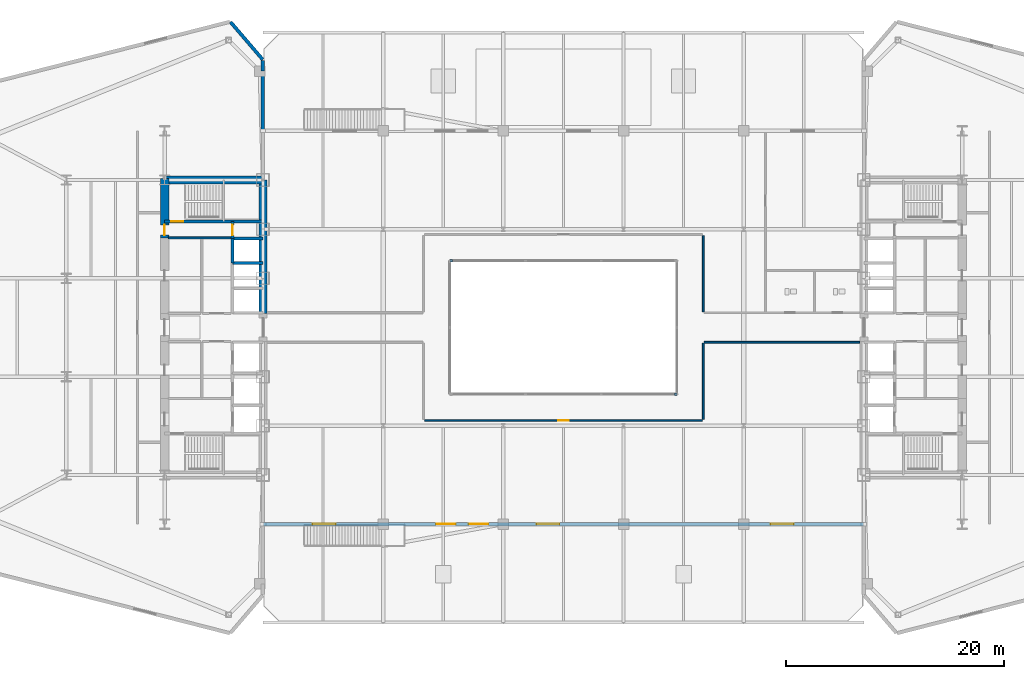
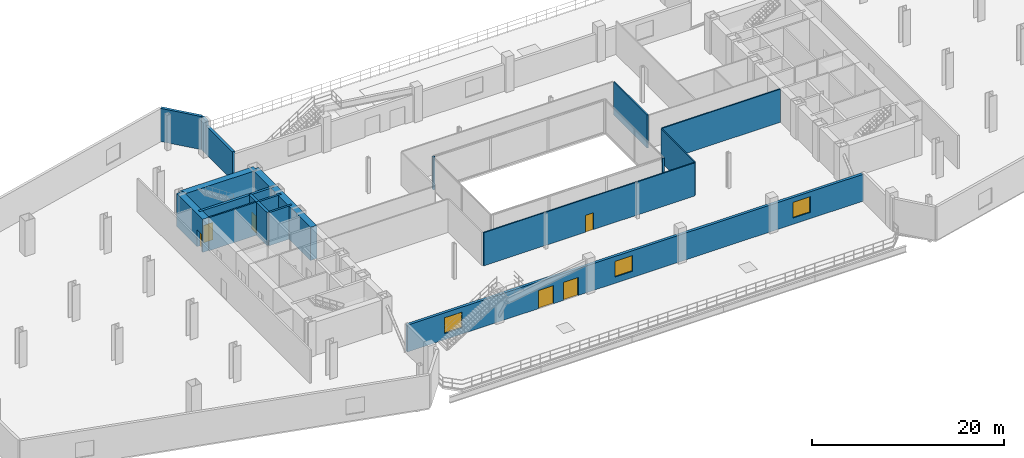
# One storey, part 19 of 27: 19 walls, 6 doors, 3 windows, 9 openings.
"""IFC4 building model written with IfcOpenShell, lengths in metres."""

from ifc_helpers import new_model, si_unit, direction, frame, frame_2d, origin, place, context, subcontext, project, spatial, rectangle, extrude, source, transform, mapped, material, layer, layer_set, type_object, type_shapes, element, fill, save


model = new_model("IFC4")

# Units and contexts
model_context = context("Model", 3, precision=1e-05, world=origin(), true_north=direction((0.0, 1.0)))
body_context = subcontext(model_context, "Body", "Model", "MODEL_VIEW")
ifc_project = project(units=[si_unit("LENGTHUNIT", "METRE"), si_unit("AREAUNIT", "SQUARE_METRE"), si_unit("VOLUMEUNIT", "CUBIC_METRE"), si_unit("PLANEANGLEUNIT", "RADIAN"), si_unit("MASSUNIT", "GRAM", prefix="KILO")], contexts=[model_context])

# Site, building, storey
site_placement = place(None, origin())
site = spatial("IfcSite", under=ifc_project, at=site_placement, CompositionType="ELEMENT")
building_placement = place(site_placement, origin())
building = spatial("IfcBuilding", under=site, at=building_placement, Name="Seokmaru Belvedere", CompositionType="ELEMENT")
storey_placement = place(building_placement, frame((0.0, 0.0, 9.89990234375)))
storey = spatial("IfcBuildingStorey", under=building, at=storey_placement, Name="L02", CompositionType="ELEMENT", Elevation=9.89990234375)

# Wall, opening, door
ifc_material_1 = material(Name="Fire-Rated Gypsum Shaftwall")
ifc_layer_1 = layer(ifc_material_1, 0.14990234375)
ifc_layer_set_1 = layer_set([ifc_layer_1], Name="Fire-Rated Gypsum Shaftwall")
wall_type_1 = type_object("IfcWallType", Name="Apartment Fire-Acoustic Room Partition 150", PredefinedType="PARTITIONING", material=ifc_layer_set_1)
wall_1_placement = place(storey_placement, frame((-12.715087890625, -8.5, 0.0), z_axis=(0.0, 0.0, 1.0), x_axis=(1.0, 0.0, 0.0)))
wall_1 = element("IfcWall", 1, at=wall_1_placement, inside=storey, type_object=wall_type_1, Name="L02 Interior Partition 003", PredefinedType="PARTITIONING", context=body_context, shape_type="SweptSolid", body=[
    extrude(rectangle(XDim=25.43017578125, YDim=0.14990234375, at=frame_2d((12.715087890625, 0.0))), origin(), (0.0, 0.0, 1.0), 4.22021484375),
])
opening_1_placement = place(wall_1_placement, frame((12.239990234375, 0.0, 0.0)))
opening_1 = element("IfcOpeningElement", 2, at=opening_1_placement, cuts=wall_1, Name="Opening D05", PredefinedType="OPENING", context=body_context, shape_type="SweptSolid", body=[
    extrude(rectangle(XDim=0.949951171875, YDim=2.14990234375, at=frame_2d((0.47509765625, 1.074951171875))), frame((0.0, 0.0849609375, 0.0), z_axis=(0.0, -1.0, 0.0), x_axis=(1.0, 0.0, 0.0)), (0.0, 0.0, 1.0), 0.169921875),
])
ifc_material_2 = material(Name="Engineered White Oak Timber", Category="wood")
door_type_1 = type_object("IfcDoorType", Name="Apartment Interior Fire-Rated Oak Door 950x2150", OperationType="NOTDEFINED", PredefinedType="DOOR", material=ifc_material_2)
shared_shape_1 = source(origin(), body_context, "Body", "SweptSolid", [
    extrude(rectangle(XDim=0.949951171875, YDim=2.14990234375, at=frame_2d((0.47509765625, 1.074951171875))), frame((0.0, 0.02490234375, 0.0), z_axis=(0.0, -1.0, 0.0), x_axis=(1.0, 0.0, 0.0)), (0.0, 0.0, 1.0), 0.050048828125),
])
type_shapes(door_type_1, [shared_shape_1])
door_1_placement = place(opening_1_placement, origin())
door_1 = element("IfcDoor", 3, at=door_1_placement, inside=storey, type_object=door_type_1, Name="L02 Interior Door 004", OperationType="SINGLE_SWING_RIGHT", OverallHeight=2.14990234375, OverallWidth=0.949951171875, PredefinedType="DOOR", context=body_context, shape_type="MappedRepresentation", body=[
    mapped(shared_shape_1, transform((0.0, 0.0, 0.0), scale=1.0)),
])
fill(opening_1, door_1)

# Walls
wall_2_placement = place(storey_placement, frame((12.885009765625, -1.35009765625, 0.0), z_axis=(0.0, 0.0, 1.0), x_axis=(1.0, 0.0, 0.0)))
element("IfcWall", 4, at=wall_2_placement, inside=storey, type_object=wall_type_1, Name="L02 Interior Partition 005", PredefinedType="PARTITIONING", context=body_context, shape_type="SweptSolid", body=[
    extrude(rectangle(XDim=14.235107421875, YDim=0.14990234375, at=frame_2d((7.11767578125, 0.0))), origin(), (0.0, 0.0, 1.0), 4.22021484375),
])
for number, where, z_axis, x_axis, name in (
    (5, (12.800048828125, -8.4150390625, 0.0), (0.0, 0.0, 1.0), (0.0, 1.0, 0.0), "L02 Interior Partition 015"),
    (6, (12.800048828125, 1.43505859375, 0.0), (0.0, 0.0, 1.0), (0.0, 1.0, 0.0), "L02 Interior Partition 016"),
):
    element("IfcWall", number, at=place(storey_placement, frame(where, z_axis=z_axis, x_axis=x_axis)), inside=storey, type_object=wall_type_1, Name=name, PredefinedType="PARTITIONING", context=body_context, shape_type="SweptSolid", body=[
        extrude(rectangle(XDim=6.97998046875, YDim=0.14990234375, at=frame_2d((3.489990234375, 0.0))), origin(), (0.0, 0.0, 1.0), 4.22021484375),
    ])
ifc_material_3 = material(Name="Anodised Bronze Aluminium", Category="aluminium")
ifc_layer_2 = layer(ifc_material_3, 0.2099609375)
ifc_layer_set_2 = layer_set([ifc_layer_2], Name="Anodised Bronze Aluminium")
wall_type_2 = type_object("IfcWallType", Name="Bridge Column Spandrel Closure Pier 210", PredefinedType="SOLIDWALL", material=ifc_layer_set_2)
for number, where, z_axis, x_axis, name in (
    (7, (10.39990234375, -6.10009765625, 0.0), (0.0, 0.0, 1.0), (-1.0, 0.0, 0.0), "L02 Atrium Corner Closure Pier 2"),
    (8, (-10.39990234375, 6.10009765625, 0.0), (0.0, 0.0, 1.0), (1.0, 0.0, 0.0), "L02 Atrium Corner Closure Pier 4"),
):
    element("IfcWall", number, at=place(storey_placement, frame(where, z_axis=z_axis, x_axis=x_axis)), inside=storey, type_object=wall_type_2, Name=name, PredefinedType="SOLIDWALL", context=body_context, shape_type="SweptSolid", body=[
        extrude(rectangle(XDim=0.25, YDim=0.2099609375, at=frame_2d((0.125, 0.0))), origin(), (0.0, 0.0, 1.0), 4.22021484375),
    ])
ifc_layer_3 = layer(ifc_material_1, 0.179931640625)
ifc_layer_set_3 = layer_set([ifc_layer_3], Name="Fire-Rated Gypsum Shaftwall")
wall_type_3 = type_object("IfcWallType", Name="Core Service Fire Partition 180", PredefinedType="PARTITIONING", material=ifc_layer_set_3)
wall_3_placement = place(storey_placement, frame((-36.14990234375, 8.199951171875, 0.0), z_axis=(0.0, 0.0, 1.0), x_axis=(1.0, 0.0, 0.0)))
element("IfcWall", 9, at=wall_3_placement, inside=storey, type_object=wall_type_3, Name="L02 West Smokeproof Vestibule Partition", PredefinedType="PARTITIONING", context=body_context, shape_type="SweptSolid", body=[
    extrude(rectangle(XDim=5.699951171875, YDim=0.179931640625, at=frame_2d((2.85009765625, 0.0))), origin(), (0.0, 0.0, 1.0), 4.22021484375),
])
ifc_material_4 = material(Name="Concrete C50 (50 MPa)", Category="concrete")
ifc_layer_4 = layer(ifc_material_4, 0.25)
ifc_layer_set_4 = layer_set([ifc_layer_4], Name="Concrete C50 (50 MPa)")
wall_type_4 = type_object("IfcWallType", Name="Hoistway Transverse Concrete Divider Wall 250", PredefinedType="SHEAR", material=ifc_layer_set_4)
for number, where, z_axis, x_axis, name in (
    (10, (-30.300048828125, 5.89990234375, 0.0), (0.0, 0.0, 1.0), (1.0, 0.0, 0.0), "L02 West Hoistway Divider Core Wall 6"),
    (11, (-30.300048828125, 8.14990234375, 0.0), (0.0, 0.0, 1.0), (1.0, 0.0, 0.0), "L02 West Hoistway Divider Core Wall 7"),
):
    element("IfcWall", number, at=place(storey_placement, frame(where, z_axis=z_axis, x_axis=x_axis)), inside=storey, type_object=wall_type_4, Name=name, PredefinedType="SHEAR", context=body_context, shape_type="SweptSolid", body=[
        extrude(rectangle(XDim=2.800048828125, YDim=0.25, at=frame_2d((1.39990234375, 0.0))), origin(), (0.0, 0.0, 1.0), 4.22021484375),
    ])

# Wall, opening, door
ifc_layer_5 = layer(ifc_material_4, 0.300048828125)
ifc_layer_set_5 = layer_set([ifc_layer_5], Name="Concrete C50 (50 MPa)")
wall_type_5 = type_object("IfcWallType", Name="Internal Core Stair and Hoistway Wall 300", PredefinedType="SHEAR", material=ifc_layer_set_5)
wall_4_placement = place(storey_placement, frame((-36.5, 9.699951171875, 0.0), z_axis=(0.0, 0.0, 1.0), x_axis=(1.0, 0.0, 0.0)))
wall_4 = element("IfcWall", 12, at=wall_4_placement, inside=storey, type_object=wall_type_5, Name="L02 West Stair ST-2 Enclosure Wall", PredefinedType="SHEAR", context=body_context, shape_type="SweptSolid", body=[
    extrude(rectangle(XDim=9.0, YDim=0.300048828125, at=frame_2d((4.5, 0.0))), origin(), (0.0, 0.0, 1.0), 4.22021484375),
])
opening_2_placement = place(wall_4_placement, frame((0.60009765625, 0.0, 0.0)))
opening_2 = element("IfcOpeningElement", 13, at=opening_2_placement, cuts=wall_4, Name="Opening D01", PredefinedType="OPENING", context=body_context, shape_type="SweptSolid", body=[
    extrude(rectangle(XDim=1.10009765625, YDim=2.199951171875, at=frame_2d((0.550048828125, 1.10009765625))), frame((0.0, 0.16015625, 0.0), z_axis=(0.0, -1.0, 0.0), x_axis=(1.0, 0.0, 0.0)), (0.0, 0.0, 1.0), 0.320068359375),
])
ifc_material_5 = material(Name="Fire-Rated Steel Leaf", Category="steel")
door_type_2 = type_object("IfcDoorType", Name="Special Escape Stair Smokeproof Fire Door 1100x2200", OperationType="NOTDEFINED", PredefinedType="DOOR", material=ifc_material_5)
shared_shape_2 = source(origin(), body_context, "Body", "SweptSolid", [
    extrude(rectangle(XDim=1.10009765625, YDim=2.199951171875, at=frame_2d((0.550048828125, 1.10009765625))), frame((0.0, 0.02490234375, 0.0), z_axis=(0.0, -1.0, 0.0), x_axis=(1.0, 0.0, 0.0)), (0.0, 0.0, 1.0), 0.050048828125),
])
type_shapes(door_type_2, [shared_shape_2])
door_2_placement = place(opening_2_placement, origin())
door_2 = element("IfcDoor", 14, at=door_2_placement, inside=storey, type_object=door_type_2, Name="L02 West Special Escape Stair ST-2 Door", OperationType="SINGLE_SWING_RIGHT", OverallHeight=2.199951171875, OverallWidth=1.10009765625, PredefinedType="DOOR", context=body_context, shape_type="MappedRepresentation", body=[
    mapped(shared_shape_2, transform((0.0, 0.0, 0.0), scale=1.0)),
])
fill(opening_2, door_2)

# Wall
wall_5_placement = place(storey_placement, frame((-30.300048828125, 5.89990234375, 0.0), z_axis=(0.0, 0.0, 1.0), x_axis=(0.0, 1.0, 0.0)))
element("IfcWall", 15, at=wall_5_placement, inside=storey, type_object=wall_type_5, Name="L02 West North Hoistway Wall OBS", PredefinedType="SHEAR", context=body_context, shape_type="SweptSolid", body=[
    extrude(rectangle(XDim=2.25, YDim=0.300048828125, at=frame_2d((1.125, 0.0))), origin(), (0.0, 0.0, 1.0), 4.22021484375),
])

# Wall, opening, door
wall_6_placement = place(storey_placement, frame((-30.300048828125, 8.14990234375, 0.0), z_axis=(0.0, 0.0, 1.0), x_axis=(0.0, 1.0, 0.0)))
wall_6 = element("IfcWall", 16, at=wall_6_placement, inside=storey, type_object=wall_type_5, Name="L02 West Electrical Riser Front Wall", PredefinedType="SHEAR", context=body_context, shape_type="SweptSolid", body=[
    extrude(rectangle(XDim=1.530029296875, YDim=0.300048828125, at=frame_2d((0.76513671875, 0.0))), origin(), (0.0, 0.0, 1.0), 4.22021484375),
])
opening_3_placement = place(wall_6_placement, frame((0.284912109375, 0.0, 0.0)))
opening_3 = element("IfcOpeningElement", 17, at=opening_3_placement, cuts=wall_6, Name="Opening D04", PredefinedType="OPENING", context=body_context, shape_type="SweptSolid", body=[
    extrude(rectangle(XDim=0.949951171875, YDim=2.14990234375, at=frame_2d((0.47509765625, 1.074951171875))), frame((0.0, 0.16015625, 0.0), z_axis=(0.0, -1.0, 0.0), x_axis=(1.0, 0.0, 0.0)), (0.0, 0.0, 1.0), 0.320068359375),
])
door_type_3 = type_object("IfcDoorType", Name="Core Service Room Fire Door 950x2150", OperationType="NOTDEFINED", PredefinedType="DOOR", material=ifc_material_5)
shared_shape_3 = source(origin(), body_context, "Body", "SweptSolid", [
    extrude(rectangle(XDim=0.949951171875, YDim=2.14990234375, at=frame_2d((0.47509765625, 1.074951171875))), frame((0.0, 0.02490234375, 0.0), z_axis=(0.0, -1.0, 0.0), x_axis=(1.0, 0.0, 0.0)), (0.0, 0.0, 1.0), 0.050048828125),
])
type_shapes(door_type_3, [shared_shape_3])
door_3_placement = place(opening_3_placement, origin())
door_3 = element("IfcDoor", 18, at=door_3_placement, inside=storey, type_object=door_type_3, Name="L02 West Electrical Riser Access Door", OperationType="SINGLE_SWING_LEFT", OverallHeight=2.14990234375, OverallWidth=0.949951171875, PredefinedType="DOOR", context=body_context, shape_type="MappedRepresentation", body=[
    mapped(shared_shape_3, transform((0.0, 0.0, 0.0), scale=1.0)),
])
fill(opening_3, door_3)

# Walls
ifc_material_6 = material(Name="Concrete C60 (60 MPa)", Category="concrete")
ifc_layer_6 = layer(ifc_material_6, 0.75)
ifc_layer_set_6 = layer_set([ifc_layer_6], Name="Concrete C60 (60 MPa)")
wall_type_6 = type_object("IfcWallType", Name="Lower Tower Reinforced Concrete Core Wall 750", PredefinedType="SHEAR", material=ifc_layer_set_6)
wall_7_placement = place(storey_placement, frame((-27.5, 1.300048828125, 0.0), z_axis=(0.0, 0.0, 1.0), x_axis=(0.0, 1.0, 0.0)))
element("IfcWall", 19, at=wall_7_placement, inside=storey, type_object=wall_type_6, Name="L02 West Portal Spine Core Wall North", PredefinedType="SHEAR", context=body_context, shape_type="SweptSolid", body=[
    extrude(rectangle(XDim=12.199951171875, YDim=0.75, at=frame_2d((6.10009765625, 0.0))), origin(), (0.0, 0.0, 1.0), 4.22021484375),
])
wall_8_placement = place(storey_placement, frame((-36.5, 13.5, 0.0), z_axis=(0.0, 0.0, 1.0), x_axis=(1.0, 0.0, 0.0)))
element("IfcWall", 20, at=wall_8_placement, inside=storey, type_object=wall_type_6, Name="L02 West North Core Wall", PredefinedType="SHEAR", context=body_context, shape_type="SweptSolid", body=[
    extrude(rectangle(XDim=9.0, YDim=0.75, at=frame_2d((4.5, 0.0))), origin(), (0.0, 0.0, 1.0), 4.22021484375),
])

# Wall, opening, door
wall_9_placement = place(storey_placement, frame((-36.5, 8.199951171875, 0.0), z_axis=(0.0, 0.0, 1.0), x_axis=(0.0, 1.0, 0.0)))
wall_9 = element("IfcWall", 21, at=wall_9_placement, inside=storey, type_object=wall_type_6, Name="L02 West West Core Wall VST", PredefinedType="SHEAR", context=body_context, shape_type="SweptSolid", body=[
    extrude(rectangle(XDim=5.449951171875, YDim=0.75, at=frame_2d((2.72509765625, 0.0))), origin(), (0.0, 0.0, 1.0), 4.22021484375),
])
opening_4_placement = place(wall_9_placement, frame((0.2451171875, 0.0, 0.0)))
opening_4 = element("IfcOpeningElement", 22, at=opening_4_placement, cuts=wall_9, Name="Opening D04", PredefinedType="OPENING", context=body_context, shape_type="SweptSolid", body=[
    extrude(rectangle(XDim=0.949951171875, YDim=2.14990234375, at=frame_2d((0.47509765625, 1.074951171875))), frame((0.0, 0.385009765625, 0.0), z_axis=(0.0, -1.0, 0.0), x_axis=(1.0, 0.0, 0.0)), (0.0, 0.0, 1.0), 0.77001953125),
])
door_4_placement = place(opening_4_placement, frame((0.949951171875, 0.0, 0.0), z_axis=(0.0, 0.0, 1.0), x_axis=(-1.0, 0.0, 0.0)))
door_4 = element("IfcDoor", 23, at=door_4_placement, inside=storey, type_object=door_type_3, Name="L02 West Smokeproof Vestibule Door", OperationType="SINGLE_SWING_RIGHT", OverallHeight=2.14990234375, OverallWidth=0.949951171875, PredefinedType="DOOR", context=body_context, shape_type="MappedRepresentation", body=[
    mapped(shared_shape_3, transform((0.0, 0.0, 0.0), scale=1.0)),
])
fill(opening_4, door_4)

# Wall, openings, doors, windows
ifc_material_7 = material(Name="Concrete C40 (40 MPa)", Category="concrete")
ifc_layer_7 = layer(ifc_material_7, 0.320068359375)
ifc_layer_set_7 = layer_set([ifc_layer_7], Name="Concrete C40 (40 MPa)")
wall_type_7 = type_object("IfcWallType", Name="Podium Terrace Insulated Wall 320", PredefinedType="SOLIDWALL", material=ifc_layer_set_7)
wall_10_placement = place(storey_placement, frame((-27.4599609375, -18.0, 0.0), z_axis=(0.0, 0.0, 1.0), x_axis=(1.0, 0.0, 0.0)))
wall_10 = element("IfcWall", 24, at=wall_10_placement, inside=storey, type_object=wall_type_7, Name="L02 Exterior Podium Wall 04", PredefinedType="SOLIDWALL", context=body_context, shape_type="SweptSolid", body=[
    extrude(rectangle(XDim=54.919921875, YDim=0.320068359375, at=frame_2d((27.4599609375, 0.0))), origin(), (0.0, 0.0, 1.0), 3.420166015625),
])
opening_5_placement = place(wall_10_placement, frame((15.800048828125, 0.0, 0.0)))
opening_5 = element("IfcOpeningElement", 25, at=opening_5_placement, cuts=wall_10, Name="Opening DX3", PredefinedType="OPENING", context=body_context, shape_type="SweptSolid", body=[
    extrude(rectangle(XDim=1.800048828125, YDim=2.300048828125, at=frame_2d((0.89990234375, 1.14990234375))), frame((0.0, 0.169921875, 0.0), z_axis=(0.0, -1.0, 0.0), x_axis=(1.0, 0.0, 0.0)), (0.0, 0.0, 1.0), 0.340087890625),
])
opening_6_placement = place(wall_10_placement, frame((18.800048828125, 0.0, 0.0)))
opening_6 = element("IfcOpeningElement", 26, at=opening_6_placement, cuts=wall_10, Name="Opening DX3", PredefinedType="OPENING", context=body_context, shape_type="SweptSolid", body=[
    extrude(rectangle(XDim=1.800048828125, YDim=2.300048828125, at=frame_2d((0.89990234375, 1.14990234375))), frame((0.0, 0.169921875, 0.0), z_axis=(0.0, -1.0, 0.0), x_axis=(1.0, 0.0, 0.0)), (0.0, 0.0, 1.0), 0.340087890625),
])
opening_7_placement = place(wall_10_placement, frame((4.5, 0.0, 0.800048828125)))
opening_7 = element("IfcOpeningElement", 27, at=opening_7_placement, cuts=wall_10, Name="Opening WN6", PredefinedType="OPENING", context=body_context, shape_type="SweptSolid", body=[
    extrude(rectangle(XDim=2.10009765625, YDim=2.0, at=frame_2d((1.050048828125, 1.0))), frame((0.0, 0.169921875, 0.0), z_axis=(0.0, -1.0, 0.0), x_axis=(1.0, 0.0, 0.0)), (0.0, 0.0, 1.0), 0.340087890625),
])
opening_8_placement = place(wall_10_placement, frame((25.0, 0.0, 0.800048828125)))
opening_8 = element("IfcOpeningElement", 28, at=opening_8_placement, cuts=wall_10, Name="Opening WN6", PredefinedType="OPENING", context=body_context, shape_type="SweptSolid", body=[
    extrude(rectangle(XDim=2.10009765625, YDim=2.0, at=frame_2d((1.050048828125, 1.0))), frame((0.0, 0.169921875, 0.0), z_axis=(0.0, -1.0, 0.0), x_axis=(1.0, 0.0, 0.0)), (0.0, 0.0, 1.0), 0.340087890625),
])
opening_9_placement = place(wall_10_placement, frame((46.419921875, 0.0, 0.800048828125)))
opening_9 = element("IfcOpeningElement", 29, at=opening_9_placement, cuts=wall_10, Name="Opening WN6", PredefinedType="OPENING", context=body_context, shape_type="SweptSolid", body=[
    extrude(rectangle(XDim=2.10009765625, YDim=2.0, at=frame_2d((1.050048828125, 1.0))), frame((0.0, 0.169921875, 0.0), z_axis=(0.0, -1.0, 0.0), x_axis=(1.0, 0.0, 0.0)), (0.0, 0.0, 1.0), 0.340087890625),
])
door_type_4 = type_object("IfcDoorType", Name="Cascading Terrace Glazed Double Door 1800x2300", OperationType="DOUBLE_SWING_LEFT", PredefinedType="DOOR", material=ifc_material_3)
shared_shape_4 = source(origin(), body_context, "Body", "SweptSolid", [
    extrude(rectangle(XDim=1.800048828125, YDim=2.300048828125, at=frame_2d((0.89990234375, 1.14990234375))), frame((0.0, 0.02490234375, 0.0), z_axis=(0.0, -1.0, 0.0), x_axis=(1.0, 0.0, 0.0)), (0.0, 0.0, 1.0), 0.050048828125),
])
type_shapes(door_type_4, [shared_shape_4])
door_5_placement = place(opening_5_placement, frame((1.800048828125, 0.0, 0.0), z_axis=(0.0, 0.0, 1.0), x_axis=(-1.0, 0.0, 0.0)))
door_5 = element("IfcDoor", 30, at=door_5_placement, inside=storey, type_object=door_type_4, Name="L02 South Garden Terrace Access Door 1", OperationType="DOUBLE_SWING_LEFT", OverallHeight=2.300048828125, OverallWidth=1.800048828125, PredefinedType="DOOR", context=body_context, shape_type="MappedRepresentation", body=[
    mapped(shared_shape_4, transform((0.0, 0.0, 0.0), scale=1.0)),
])
fill(opening_5, door_5)
door_6_placement = place(opening_6_placement, frame((1.800048828125, 0.0, 0.0), z_axis=(0.0, 0.0, 1.0), x_axis=(-1.0, 0.0, 0.0)))
door_6 = element("IfcDoor", 31, at=door_6_placement, inside=storey, type_object=door_type_4, Name="L02 South Garden Terrace Access Door 2", OperationType="DOUBLE_SWING_LEFT", OverallHeight=2.300048828125, OverallWidth=1.800048828125, PredefinedType="DOOR", context=body_context, shape_type="MappedRepresentation", body=[
    mapped(shared_shape_4, transform((0.0, 0.0, 0.0), scale=1.0)),
])
fill(opening_6, door_6)
ifc_material_8 = material(Name="Bronze Triple Insulating Glass", Category="glass")
window_type = type_object("IfcWindowType", Name="Club Reading Room Window 2100x2000", PartitioningType="SINGLE_PANEL", PredefinedType="WINDOW", material=ifc_material_8)
shared_shape_5 = source(origin(), body_context, "Body", "SweptSolid", [
    extrude(rectangle(XDim=2.10009765625, YDim=2.0, at=frame_2d((1.050048828125, 1.0))), frame((0.0, 0.030029296875, 0.0), z_axis=(0.0, -1.0, 0.0), x_axis=(1.0, 0.0, 0.0)), (0.0, 0.0, 1.0), 0.06005859375),
])
type_shapes(window_type, [shared_shape_5])
window_1_placement = place(opening_7_placement, origin())
window_1 = element("IfcWindow", 32, at=window_1_placement, inside=storey, type_object=window_type, Name="L02 South Terrace Window 1", OverallHeight=2.0, OverallWidth=2.10009765625, PartitioningType="SINGLE_PANEL", PredefinedType="WINDOW", context=body_context, shape_type="MappedRepresentation", body=[
    mapped(shared_shape_5, transform((0.0, 0.0, 0.0), scale=1.0)),
])
fill(opening_7, window_1)
window_2_placement = place(opening_8_placement, origin())
window_2 = element("IfcWindow", 33, at=window_2_placement, inside=storey, type_object=window_type, Name="L02 South Terrace Window 2", OverallHeight=2.0, OverallWidth=2.10009765625, PartitioningType="SINGLE_PANEL", PredefinedType="WINDOW", context=body_context, shape_type="MappedRepresentation", body=[
    mapped(shared_shape_5, transform((0.0, 0.0, 0.0), scale=1.0)),
])
fill(opening_8, window_2)
window_3_placement = place(opening_9_placement, origin())
window_3 = element("IfcWindow", 34, at=window_3_placement, inside=storey, type_object=window_type, Name="L02 South Terrace Window 3", OverallHeight=2.0, OverallWidth=2.10009765625, PartitioningType="SINGLE_PANEL", PredefinedType="WINDOW", context=body_context, shape_type="MappedRepresentation", body=[
    mapped(shared_shape_5, transform((0.0, 0.0, 0.0), scale=1.0)),
])
fill(opening_9, window_3)

# Walls
wall_11_placement = place(storey_placement, frame((-27.5, 18.0, 0.0), z_axis=(0.0, 0.0, 1.0), x_axis=(0.0, 1.0, 0.0)))
element("IfcWall", 35, at=wall_11_placement, inside=storey, type_object=wall_type_7, Name="L02 Exterior Podium Spine Wall 13N", PredefinedType="SOLIDWALL", context=body_context, shape_type="SweptSolid", body=[
    extrude(rectangle(XDim=5.47607421875, YDim=0.320068359375, at=frame_2d((2.738037109375, 0.0))), origin(), (0.0, 0.0, 1.0), 3.632080078125),
])
wall_12_placement = place(storey_placement, frame((-27.5, 23.47607421875, 0.0), z_axis=(0.0, 0.0, 1.0), x_axis=(0.0, 1.0, 0.0)))
element("IfcWall", 36, at=wall_12_placement, inside=storey, type_object=wall_type_7, Name="L02 Exterior Podium Spine Wall 13N Part 2", PredefinedType="SOLIDWALL", context=body_context, shape_type="SweptSolid", body=[
    extrude(rectangle(XDim=0.973876953125, YDim=0.320068359375, at=frame_2d((0.48681640625, 0.0))), origin(), (0.0, 0.0, 1.0), 4.22021484375),
])
wall_13_placement = place(storey_placement, frame((-27.52587890625, 24.530517578125, 0.0), z_axis=(0.0, 0.0, 1.0), x_axis=(-0.650862388074, 0.759195726931, 0.0)))
element("IfcWall", 37, at=wall_13_placement, inside=storey, type_object=wall_type_7, Name="L02 Exterior Podium Wall 14", PredefinedType="SOLIDWALL", context=body_context, shape_type="SweptSolid", body=[
    extrude(rectangle(XDim=4.52978515625, YDim=0.320068359375, at=frame_2d((2.264892578125, 0.0))), origin(), (0.0, 0.0, 1.0), 4.22021484375),
])

save(model, "model.ifc")
